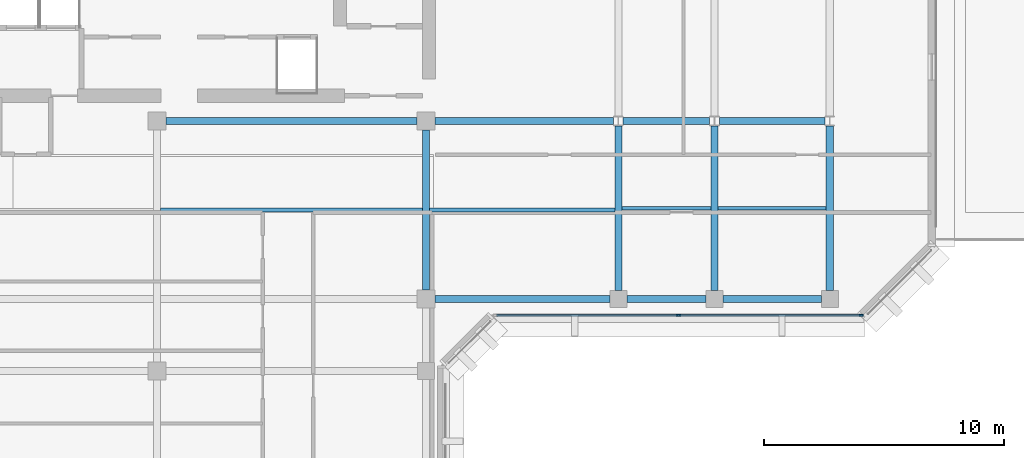
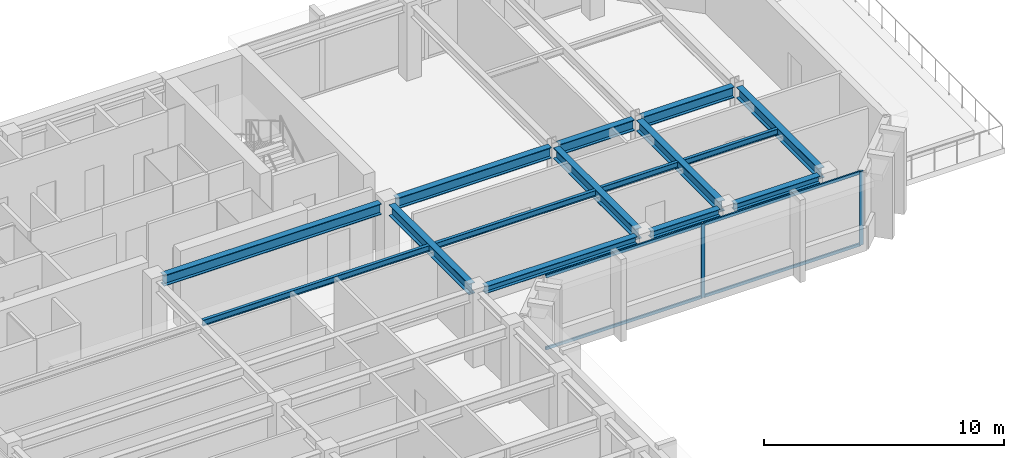
# One storey, part 3 of 11: 15 beams, 6 members, 1 element without a shape of its own.
"""IFC4 building model written with IfcOpenShell, lengths in metres."""

from ifc_helpers import new_model, si_unit, direction, frame, origin, origin_2d, place, context, subcontext, project, spatial, rectangle, i_section, extrude, material, layer, layer_set, material_profile, profile_set, type_object, element, aggregate, save


model = new_model("IFC4")

# Units and contexts
model_context = context("Model", 3, precision=1e-05, world=origin(), true_north=direction((0.0, 1.0)))
body_context = subcontext(model_context, "Body", "Model", "MODEL_VIEW")
ifc_project = project(units=[si_unit("LENGTHUNIT", "METRE"), si_unit("AREAUNIT", "SQUARE_METRE"), si_unit("VOLUMEUNIT", "CUBIC_METRE"), si_unit("PLANEANGLEUNIT", "RADIAN"), si_unit("MASSUNIT", "GRAM", prefix="KILO")], contexts=[model_context])

# Site, building, storey
site_placement = place(None, origin())
site = spatial("IfcSite", under=ifc_project, at=site_placement, CompositionType="ELEMENT")
building_placement = place(site_placement, origin())
building = spatial("IfcBuilding", under=site, at=building_placement, Name="Kefirva Bronze Tower", CompositionType="ELEMENT")
storey_placement = place(building_placement, frame((0.0, 0.0, 272.25)))
storey = spatial("IfcBuildingStorey", under=building, at=storey_placement, Name="L66", CompositionType="ELEMENT", Elevation=272.25)

# Curtain wall, members
ifc_material_1 = material(Name="Bronze anodised aluminium", Category="aluminium")
ifc_layer = layer(ifc_material_1, 0.179931640625, Name="Bronze anodised aluminium")
ifc_layer_set = layer_set([ifc_layer], Name="Bronze anodised aluminium")
curtain_wall_type = type_object("IfcCurtainWallType", Name="Unitised Bronze Ribbon Curtain Wall Zone 4", PredefinedType="USERDEFINED", material=ifc_layer_set)
curtain_wall_placement = place(storey_placement, origin())
curtain_wall = element("IfcCurtainWall", 1, at=curtain_wall_placement, inside=storey, type_object=curtain_wall_type, Name="L66 Curtain Wall 2", ObjectType="UNITISED CURTAIN WALL", PredefinedType="USERDEFINED")
ifc_material_profile_1 = material_profile(ifc_material_1, rectangle(XDim=0.074951171875, YDim=0.179931640625, at=origin_2d()), Name="ALU 75x180")
ifc_profile_set_1 = profile_set([ifc_material_profile_1], Name="Bronze anodised aluminium")
member_type_1 = type_object("IfcMemberType", Name="Bronze Mullion 75x180", PredefinedType="MULLION", material=ifc_profile_set_1)
member_1_placement = place(storey_placement, frame((33.699951171875, 25.1201171875, 0.0), z_axis=(0.0, 0.0, 1.0), x_axis=(0.0, 1.0, 0.0)))
member_1 = element("IfcMember", 2, at=member_1_placement, type_object=member_type_1, Name="CW-04 mullion 2", PredefinedType="MULLION", context=body_context, shape_type="SweptSolid", body=[
    extrude(rectangle(XDim=0.074951171875, YDim=0.179931640625, at=origin_2d()), origin(), (0.0, 0.0, 1.0), 3.739990234375),
])
member_2_placement = place(storey_placement, frame((41.3076171875, 25.1201171875, 0.0), z_axis=(0.0, 0.0, 1.0), x_axis=(0.0, 1.0, 0.0)))
member_2 = element("IfcMember", 3, at=member_2_placement, type_object=member_type_1, Name="CW-04 mullion 3", PredefinedType="MULLION", context=body_context, shape_type="SweptSolid", body=[
    extrude(rectangle(XDim=0.074951171875, YDim=0.179931640625, at=origin_2d()), origin(), (0.0, 0.0, 1.0), 3.739990234375),
])
ifc_material_profile_2 = material_profile(ifc_material_1, rectangle(XDim=0.074951171875, YDim=0.14990234375, at=origin_2d()), Name="ALU 75x150")
ifc_profile_set_2 = profile_set([ifc_material_profile_2], Name="Bronze anodised aluminium")
member_type_2 = type_object("IfcMemberType", Name="Bronze Transom 75x150", PredefinedType="USERDEFINED", material=ifc_profile_set_2)
member_3_placement = place(storey_placement, frame((26.1298828125, 25.1201171875, 0.03759765625), z_axis=(1.0, 0.0, 0.0), x_axis=(0.0, 1.0, 0.0)))
member_3 = element("IfcMember", 4, at=member_3_placement, type_object=member_type_2, Name="CW-04 transom 1.1", ObjectType="TRANSOM", PredefinedType="USERDEFINED", context=body_context, shape_type="SweptSolid", body=[
    extrude(rectangle(XDim=0.074951171875, YDim=0.14990234375, at=origin_2d()), origin(), (0.0, 0.0, 1.0), 7.53271484375),
])
member_4_placement = place(storey_placement, frame((26.1298828125, 25.1201171875, 3.702392578125), z_axis=(1.0, 0.0, 0.0), x_axis=(0.0, 1.0, 0.0)))
member_4 = element("IfcMember", 5, at=member_4_placement, type_object=member_type_2, Name="CW-04 transom 1.2", ObjectType="TRANSOM", PredefinedType="USERDEFINED", context=body_context, shape_type="SweptSolid", body=[
    extrude(rectangle(XDim=0.074951171875, YDim=0.14990234375, at=origin_2d()), origin(), (0.0, 0.0, 1.0), 7.53271484375),
])
member_5_placement = place(storey_placement, frame((33.737548828125, 25.1201171875, 0.03759765625), z_axis=(1.0, 0.0, 0.0), x_axis=(0.0, 1.0, 0.0)))
member_5 = element("IfcMember", 6, at=member_5_placement, type_object=member_type_2, Name="CW-04 transom 2.1", ObjectType="TRANSOM", PredefinedType="USERDEFINED", context=body_context, shape_type="SweptSolid", body=[
    extrude(rectangle(XDim=0.074951171875, YDim=0.14990234375, at=origin_2d()), origin(), (0.0, 0.0, 1.0), 7.532470703125),
])
member_6_placement = place(storey_placement, frame((33.737548828125, 25.1201171875, 3.702392578125), z_axis=(1.0, 0.0, 0.0), x_axis=(0.0, 1.0, 0.0)))
member_6 = element("IfcMember", 7, at=member_6_placement, type_object=member_type_2, Name="CW-04 transom 2.2", ObjectType="TRANSOM", PredefinedType="USERDEFINED", context=body_context, shape_type="SweptSolid", body=[
    extrude(rectangle(XDim=0.074951171875, YDim=0.14990234375, at=origin_2d()), origin(), (0.0, 0.0, 1.0), 7.532470703125),
])
aggregate(curtain_wall, [member_1, member_2, member_3, member_4, member_5, member_6])

# Beams
ifc_material_2 = material(Name="Steel S355", Category="steel")
ifc_material_profile_3 = material_profile(ifc_material_2, i_section(OverallWidth=0.14990234375, OverallDepth=0.300048828125, WebThickness=0.007080078125, FlangeThickness=0.0107421875, at=origin_2d()), Name="IPE 300")
ifc_profile_set_3 = profile_set([ifc_material_profile_3], Name="Steel S355")
beam_type_1 = type_object("IfcBeamType", Name="Steel Floor Joist IPE 300", PredefinedType="JOIST", material=ifc_profile_set_3)
beam_1_placement = place(storey_placement, frame((12.14990234375, 29.5, 3.590087890625), z_axis=(1.0, 0.0, 0.0), x_axis=(0.0, 1.0, 0.0)))
element("IfcBeam", 8, at=beam_1_placement, inside=storey, type_object=beam_type_1, Name="L66 JST-L66-12-295", PredefinedType="JOIST", context=body_context, shape_type="SweptSolid", body=[
    extrude(i_section(OverallWidth=0.14990234375, OverallDepth=0.300048828125, WebThickness=0.007080078125, FlangeThickness=0.0107421875, at=origin_2d()), origin(), (0.0, 0.0, 1.0), 10.900146484375),
])
beam_2_placement = place(storey_placement, frame((23.35009765625, 29.5, 3.590087890625), z_axis=(1.0, 0.0, 0.0), x_axis=(0.0, 1.0, 0.0)))
element("IfcBeam", 9, at=beam_2_placement, inside=storey, type_object=beam_type_1, Name="L66 JST-L66-23-295", PredefinedType="JOIST", context=body_context, shape_type="SweptSolid", body=[
    extrude(i_section(OverallWidth=0.14990234375, OverallDepth=0.300048828125, WebThickness=0.007080078125, FlangeThickness=0.0107421875, at=origin_2d()), origin(), (0.0, 0.0, 1.0), 7.699951171875),
])
beam_3_placement = place(storey_placement, frame((31.35009765625, 29.571044921875, 3.590087890625), z_axis=(1.0, 0.0, 0.0), x_axis=(0.0, 1.0, 0.0)))
element("IfcBeam", 10, at=beam_3_placement, inside=storey, type_object=beam_type_1, Name="L66 JST-L66-31-295", PredefinedType="JOIST", context=body_context, shape_type="SweptSolid", body=[
    extrude(i_section(OverallWidth=0.14990234375, OverallDepth=0.300048828125, WebThickness=0.007080078125, FlangeThickness=0.0107421875, at=origin_2d()), origin(), (0.0, 0.0, 1.0), 3.699951171875),
])
beam_4_placement = place(storey_placement, frame((35.35009765625, 29.571044921875, 3.590087890625), z_axis=(1.0, 0.0, 0.0), x_axis=(0.0, 1.0, 0.0)))
element("IfcBeam", 11, at=beam_4_placement, inside=storey, type_object=beam_type_1, Name="L66 JST-L66-35-295", PredefinedType="JOIST", context=body_context, shape_type="SweptSolid", body=[
    extrude(i_section(OverallWidth=0.14990234375, OverallDepth=0.300048828125, WebThickness=0.007080078125, FlangeThickness=0.0107421875, at=origin_2d()), origin(), (0.0, 0.0, 1.0), 4.5),
])
ifc_material_profile_4 = material_profile(ifc_material_2, i_section(OverallWidth=0.300048828125, OverallDepth=0.550048828125, WebThickness=0.014892578125, FlangeThickness=0.029052734375, at=origin_2d()), Name="HEB 550")
ifc_profile_set_4 = profile_set([ifc_material_profile_4], Name="Steel S355")
beam_type_2 = type_object("IfcBeamType", Name="Steel Girder HEB 550", PredefinedType="USERDEFINED", material=ifc_profile_set_4)
beam_5_placement = place(storey_placement, frame((12.3701171875, 33.199951171875, 3.465087890625), z_axis=(1.0, 0.0, 0.0), x_axis=(0.0, 1.0, 0.0)))
element("IfcBeam", 12, at=beam_5_placement, inside=storey, type_object=beam_type_2, Name="L66 BM-L66-EW-12-332", ObjectType="GIRDER", PredefinedType="USERDEFINED", context=body_context, shape_type="SweptSolid", body=[
    extrude(i_section(OverallWidth=0.300048828125, OverallDepth=0.550048828125, WebThickness=0.014892578125, FlangeThickness=0.029052734375, at=origin_2d()), origin(), (0.0, 0.0, 1.0), 10.4599609375),
])
beam_6_placement = place(storey_placement, frame((23.570068359375, 33.199951171875, 3.465087890625), z_axis=(1.0, 0.0, 0.0), x_axis=(0.0, 1.0, 0.0)))
element("IfcBeam", 13, at=beam_6_placement, inside=storey, type_object=beam_type_2, Name="L66 BM-L66-EW-23-332", ObjectType="GIRDER", PredefinedType="USERDEFINED", context=body_context, shape_type="SweptSolid", body=[
    extrude(i_section(OverallWidth=0.300048828125, OverallDepth=0.550048828125, WebThickness=0.014892578125, FlangeThickness=0.029052734375, at=origin_2d()), origin(), (0.0, 0.0, 1.0), 7.427001953125),
])
beam_7_placement = place(storey_placement, frame((31.403076171875, 33.199951171875, 3.465087890625), z_axis=(1.0, 0.0, 0.0), x_axis=(0.0, 1.0, 0.0)))
element("IfcBeam", 14, at=beam_7_placement, inside=storey, type_object=beam_type_2, Name="L66 BM-L66-EW-31-332", ObjectType="GIRDER", PredefinedType="USERDEFINED", context=body_context, shape_type="SweptSolid", body=[
    extrude(i_section(OverallWidth=0.300048828125, OverallDepth=0.550048828125, WebThickness=0.014892578125, FlangeThickness=0.029052734375, at=origin_2d()), origin(), (0.0, 0.0, 1.0), 3.593994140625),
])
beam_8_placement = place(storey_placement, frame((35.403076171875, 33.199951171875, 3.465087890625), z_axis=(1.0, 0.0, 0.0), x_axis=(0.0, 1.0, 0.0)))
element("IfcBeam", 15, at=beam_8_placement, inside=storey, type_object=beam_type_2, Name="L66 BM-L66-EW-35-332", ObjectType="GIRDER", PredefinedType="USERDEFINED", context=body_context, shape_type="SweptSolid", body=[
    extrude(i_section(OverallWidth=0.300048828125, OverallDepth=0.550048828125, WebThickness=0.014892578125, FlangeThickness=0.029052734375, at=origin_2d()), origin(), (0.0, 0.0, 1.0), 4.39404296875),
])
beam_9_placement = place(storey_placement, frame((23.199951171875, 26.169921875, 3.465087890625), z_axis=(0.0, 1.0, 0.0), x_axis=(-1.0, 0.0, 0.0)))
element("IfcBeam", 16, at=beam_9_placement, inside=storey, type_object=beam_type_2, Name="L66 BM-L66-NS-232-25", ObjectType="GIRDER", PredefinedType="USERDEFINED", context=body_context, shape_type="SweptSolid", body=[
    extrude(i_section(OverallWidth=0.300048828125, OverallDepth=0.550048828125, WebThickness=0.014892578125, FlangeThickness=0.029052734375, at=origin_2d()), origin(), (0.0, 0.0, 1.0), 6.66015625),
])
for number, where, z_axis, x_axis, name in (
    (17, (31.199951171875, 26.14990234375, 3.465087890625), (0.0, 1.0, 0.0), (-1.0, 0.0, 0.0), "L66 BM-L66-NS-312-25"),
    (18, (35.199951171875, 26.14990234375, 3.465087890625), (0.0, 1.0, 0.0), (-1.0, 0.0, 0.0), "L66 BM-L66-NS-352-25"),
    (19, (40.0, 26.14990234375, 3.465087890625), (0.0, 1.0, 0.0), (-1.0, 0.0, 0.0), "L66 BM-L66-NS-400-25"),
):
    element("IfcBeam", number, at=place(storey_placement, frame(where, z_axis=z_axis, x_axis=x_axis)), inside=storey, type_object=beam_type_2, Name=name, ObjectType="GIRDER", PredefinedType="USERDEFINED", context=body_context, shape_type="SweptSolid", body=[
        extrude(i_section(OverallWidth=0.300048828125, OverallDepth=0.550048828125, WebThickness=0.014892578125, FlangeThickness=0.029052734375, at=origin_2d()), origin(), (0.0, 0.0, 1.0), 6.842041015625),
    ])
ifc_material_profile_5 = material_profile(ifc_material_2, i_section(OverallWidth=0.300048828125, OverallDepth=0.360107421875, WebThickness=0.012451171875, FlangeThickness=0.0224609375, at=origin_2d()), Name="HEB 360")
ifc_profile_set_5 = profile_set([ifc_material_profile_5], Name="Steel S355")
beam_type_3 = type_object("IfcBeamType", Name="Steel Spandrel HEB 360 Ext", PredefinedType="SPANDREL", material=ifc_profile_set_5)
beam_10_placement = place(storey_placement, frame((23.570068359375, 25.800048828125, 3.56005859375), z_axis=(1.0, 0.0, 0.0), x_axis=(0.0, 1.0, 0.0)))
element("IfcBeam", 20, at=beam_10_placement, inside=storey, type_object=beam_type_3, Name="L66 BM-L66-EW-23-258", PredefinedType="SPANDREL", context=body_context, shape_type="SweptSolid", body=[
    extrude(i_section(OverallWidth=0.300048828125, OverallDepth=0.360107421875, WebThickness=0.012451171875, FlangeThickness=0.0224609375, at=origin_2d()), origin(), (0.0, 0.0, 1.0), 7.280029296875),
])
beam_11_placement = place(storey_placement, frame((31.550048828125, 25.800048828125, 3.56005859375), z_axis=(1.0, 0.0, 0.0), x_axis=(0.0, 1.0, 0.0)))
element("IfcBeam", 21, at=beam_11_placement, inside=storey, type_object=beam_type_3, Name="L66 BM-L66-EW-31-258", PredefinedType="SPANDREL", context=body_context, shape_type="SweptSolid", body=[
    extrude(i_section(OverallWidth=0.300048828125, OverallDepth=0.360107421875, WebThickness=0.012451171875, FlangeThickness=0.0224609375, at=origin_2d()), origin(), (0.0, 0.0, 1.0), 3.300048828125),
])
beam_12_placement = place(storey_placement, frame((35.550048828125, 25.800048828125, 3.56005859375), z_axis=(1.0, 0.0, 0.0), x_axis=(0.0, 1.0, 0.0)))
element("IfcBeam", 22, at=beam_12_placement, inside=storey, type_object=beam_type_3, Name="L66 BM-L66-EW-35-258", PredefinedType="SPANDREL", context=body_context, shape_type="SweptSolid", body=[
    extrude(i_section(OverallWidth=0.300048828125, OverallDepth=0.360107421875, WebThickness=0.012451171875, FlangeThickness=0.0224609375, at=origin_2d()), origin(), (0.0, 0.0, 1.0), 4.099853515625),
])

save(model, "model.ifc")
